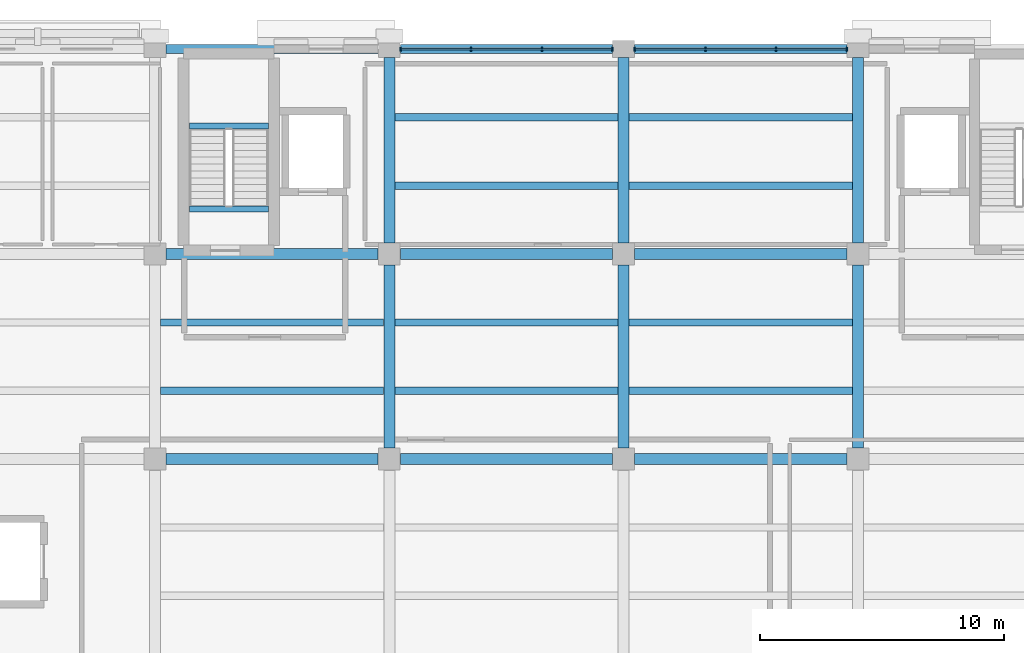
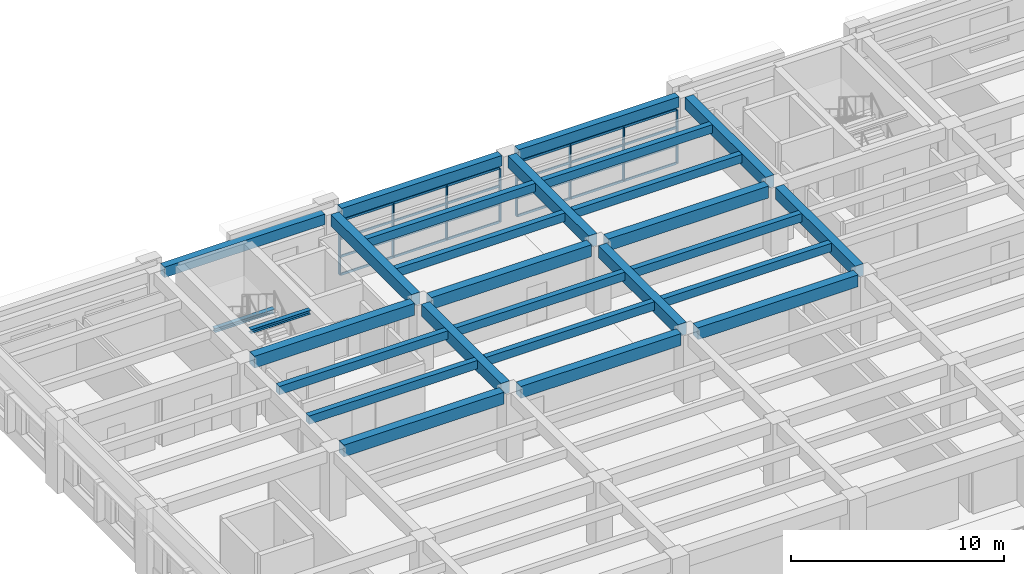
# One storey, part 25 of 62: 27 beams, 16 members, 2 elements without a shape of their own.
"""IFC4 building model written with IfcOpenShell, lengths in metres."""

from ifc_helpers import new_model, si_unit, direction, frame, origin, origin_2d, place, context, subcontext, project, spatial, rectangle, i_section, extrude, material, layer, layer_set, material_profile, profile_set, type_object, element, aggregate, save


model = new_model("IFC4")

# Units and contexts
model_context = context("Model", 3, precision=1e-05, world=origin(), true_north=direction((0.0, 1.0)))
body_context = subcontext(model_context, "Body", "Model", "MODEL_VIEW")
ifc_project = project(units=[si_unit("LENGTHUNIT", "METRE"), si_unit("AREAUNIT", "SQUARE_METRE"), si_unit("VOLUMEUNIT", "CUBIC_METRE"), si_unit("PLANEANGLEUNIT", "RADIAN"), si_unit("MASSUNIT", "GRAM", prefix="KILO")], contexts=[model_context])

# Site, building, storey
site_placement = place(None, origin())
site = spatial("IfcSite", under=ifc_project, at=site_placement, CompositionType="ELEMENT")
building_placement = place(site_placement, origin())
building = spatial("IfcBuilding", under=site, at=building_placement, Name="Bempovik Park Faculty of Sciences", CompositionType="ELEMENT")
storey_placement = place(building_placement, frame((0.0, 0.0, 9.89990234375)))
storey = spatial("IfcBuildingStorey", under=building, at=storey_placement, Name="L02", CompositionType="ELEMENT", Elevation=9.89990234375)

# Beams
ifc_material_1 = material(Name="Concrete C35/45", Category="concrete")
ifc_material_profile_1 = material_profile(ifc_material_1, rectangle(XDim=0.3798828125, YDim=0.60009765625, at=origin_2d()), Name="RC 380x600")
ifc_profile_set_1 = profile_set([ifc_material_profile_1], Name="Concrete C35/45")
beam_type_1 = type_object("IfcBeamType", Name="B-032 RC 380x600", PredefinedType="SPANDREL", material=ifc_profile_set_1)
for number, where, z_axis, x_axis, name in (
    (1, (70.055908203125, 119.39990234375, 3.60009765625), (1.0, 0.0, 0.0), (0.0, 1.0, 0.0), "L02 Beam X (69.6-79.2, y=119.4)"),
    (2, (79.656005859375, 119.39990234375, 3.60009765625), (1.0, 0.0, 0.0), (0.0, 1.0, 0.0), "L02 Beam X (79.2-88.8, y=119.4)"),
    (3, (89.256103515625, 119.39990234375, 3.60009765625), (1.0, 0.0, 0.0), (0.0, 1.0, 0.0), "L02 Beam X (88.8-98.4, y=119.4)"),
):
    element("IfcBeam", number, at=place(storey_placement, frame(where, z_axis=z_axis, x_axis=x_axis)), inside=storey, type_object=beam_type_1, Name=name, PredefinedType="SPANDREL", context=body_context, shape_type="SweptSolid", body=[
        extrude(rectangle(XDim=0.3798828125, YDim=0.60009765625, at=origin_2d()), origin(), (0.0, 0.0, 1.0), 8.68798828125),
    ])
ifc_material_profile_2 = material_profile(ifc_material_1, rectangle(XDim=0.300048828125, YDim=0.47998046875, at=origin_2d()), Name="RC 300x480")
ifc_profile_set_2 = profile_set([ifc_material_profile_2], Name="Concrete C35/45")
beam_type_2 = type_object("IfcBeamType", Name="B-039 RC 300x480", PredefinedType="JOIST", material=ifc_profile_set_2)
for number, where, z_axis, x_axis, name in (
    (4, (69.8310546875, 105.39990234375, 3.66015625), (1.0, 0.0, 0.0), (0.0, 1.0, 0.0), "L02 Secondary Joist (69.6-79.2, y=105.40)"),
    (5, (69.8310546875, 108.199951171875, 3.66015625), (1.0, 0.0, 0.0), (0.0, 1.0, 0.0), "L02 Secondary Joist (69.6-79.2, y=108.20)"),
):
    element("IfcBeam", number, at=place(storey_placement, frame(where, z_axis=z_axis, x_axis=x_axis)), inside=storey, type_object=beam_type_2, Name=name, PredefinedType="JOIST", context=body_context, shape_type="SweptSolid", body=[
        extrude(rectangle(XDim=0.300048828125, YDim=0.47998046875, at=origin_2d()), origin(), (0.0, 0.0, 1.0), 9.137939453125),
    ])
for number, where, z_axis, x_axis, name in (
    (6, (79.430908203125, 105.39990234375, 3.66015625), (1.0, 0.0, 0.0), (0.0, 1.0, 0.0), "L02 Secondary Joist (79.2-88.8, y=105.40)"),
    (7, (79.430908203125, 108.199951171875, 3.66015625), (1.0, 0.0, 0.0), (0.0, 1.0, 0.0), "L02 Secondary Joist (79.2-88.8, y=108.20)"),
    (8, (79.430908203125, 113.800048828125, 3.66015625), (1.0, 0.0, 0.0), (0.0, 1.0, 0.0), "L02 Secondary Joist (79.2-88.8, y=113.80)"),
    (9, (79.430908203125, 116.60009765625, 3.66015625), (1.0, 0.0, 0.0), (0.0, 1.0, 0.0), "L02 Secondary Joist (79.2-88.8, y=116.60)"),
):
    element("IfcBeam", number, at=place(storey_placement, frame(where, z_axis=z_axis, x_axis=x_axis)), inside=storey, type_object=beam_type_2, Name=name, PredefinedType="JOIST", context=body_context, shape_type="SweptSolid", body=[
        extrude(rectangle(XDim=0.300048828125, YDim=0.47998046875, at=origin_2d()), origin(), (0.0, 0.0, 1.0), 9.13818359375),
    ])
for number, where, z_axis, x_axis, name in (
    (10, (89.031005859375, 105.39990234375, 3.66015625), (1.0, 0.0, 0.0), (0.0, 1.0, 0.0), "L02 Secondary Joist (88.8-98.4, y=105.40)"),
    (11, (89.031005859375, 108.199951171875, 3.66015625), (1.0, 0.0, 0.0), (0.0, 1.0, 0.0), "L02 Secondary Joist (88.8-98.4, y=108.20)"),
    (12, (89.031005859375, 113.800048828125, 3.66015625), (1.0, 0.0, 0.0), (0.0, 1.0, 0.0), "L02 Secondary Joist (88.8-98.4, y=113.80)"),
    (13, (89.031005859375, 116.60009765625, 3.66015625), (1.0, 0.0, 0.0), (0.0, 1.0, 0.0), "L02 Secondary Joist (88.8-98.4, y=116.60)"),
):
    element("IfcBeam", number, at=place(storey_placement, frame(where, z_axis=z_axis, x_axis=x_axis)), inside=storey, type_object=beam_type_2, Name=name, PredefinedType="JOIST", context=body_context, shape_type="SweptSolid", body=[
        extrude(rectangle(XDim=0.300048828125, YDim=0.47998046875, at=origin_2d()), origin(), (0.0, 0.0, 1.0), 9.137939453125),
    ])
ifc_material_2 = material(Name="Steel S355", Category="steel")
ifc_material_profile_3 = material_profile(ifc_material_2, i_section(OverallWidth=0.239990234375, OverallDepth=0.22998046875, WebThickness=0.007568359375, FlangeThickness=0.011962890625, at=origin_2d()), Name="HEA 240")
ifc_profile_set_3 = profile_set([ifc_material_profile_3], Name="Steel S355")
beam_type_3 = type_object("IfcBeamType", Name="B-070 HEA 240", PredefinedType="BEAM", material=ifc_profile_set_3)
for number, where, z_axis, x_axis, name in (
    (14, (71.006103515625, 116.24365234375, 1.78515625), (1.0, 0.0, 0.0), (0.0, 1.0, 0.0), "L02 ST-1 Half-Landing Trimmer Beam"),
    (15, (71.006103515625, 112.85009765625, 3.78515625), (1.0, 0.0, 0.0), (0.0, 1.0, 0.0), "L03 ST-1 Floor Landing Trimmer Beam"),
):
    element("IfcBeam", number, at=place(storey_placement, frame(where, z_axis=z_axis, x_axis=x_axis)), inside=storey, type_object=beam_type_3, Name=name, PredefinedType="BEAM", context=body_context, shape_type="SweptSolid", body=[
        extrude(i_section(OverallWidth=0.239990234375, OverallDepth=0.22998046875, WebThickness=0.007568359375, FlangeThickness=0.011962890625, at=origin_2d()), origin(), (0.0, 0.0, 1.0), 3.23779296875),
    ])
ifc_material_profile_4 = material_profile(ifc_material_1, rectangle(XDim=0.449951171875, YDim=0.679931640625, at=origin_2d()), Name="RC 450x680")
ifc_profile_set_4 = profile_set([ifc_material_profile_4], Name="Concrete C35/45")
beam_type_4 = type_object("IfcBeamType", Name="B-113 RC 450x680", PredefinedType="BEAM", material=ifc_profile_set_4)
for number, where, z_axis, x_axis, name in (
    (16, (70.055908203125, 102.60009765625, 3.56005859375), (1.0, 0.0, 0.0), (0.0, 1.0, 0.0), "L02 Beam X (69.6-79.2, y=102.6)"),
    (17, (79.656005859375, 102.60009765625, 3.56005859375), (1.0, 0.0, 0.0), (0.0, 1.0, 0.0), "L02 Beam X (79.2-88.8, y=102.6)"),
    (18, (89.256103515625, 102.60009765625, 3.56005859375), (1.0, 0.0, 0.0), (0.0, 1.0, 0.0), "L02 Beam X (88.8-98.4, y=102.6)"),
    (19, (70.055908203125, 111.0, 3.56005859375), (1.0, 0.0, 0.0), (0.0, 1.0, 0.0), "L02 Beam X (69.6-79.2, y=111.0)"),
    (20, (79.656005859375, 111.0, 3.56005859375), (1.0, 0.0, 0.0), (0.0, 1.0, 0.0), "L02 Beam X (79.2-88.8, y=111.0)"),
    (21, (89.256103515625, 111.0, 3.56005859375), (1.0, 0.0, 0.0), (0.0, 1.0, 0.0), "L02 Beam X (88.8-98.4, y=111.0)"),
):
    element("IfcBeam", number, at=place(storey_placement, frame(where, z_axis=z_axis, x_axis=x_axis)), inside=storey, type_object=beam_type_4, Name=name, PredefinedType="BEAM", context=body_context, shape_type="SweptSolid", body=[
        extrude(rectangle(XDim=0.449951171875, YDim=0.679931640625, at=origin_2d()), origin(), (0.0, 0.0, 1.0), 8.68798828125),
    ])
beam_1_placement = place(storey_placement, frame((79.199951171875, 103.055908203125, 3.56005859375), z_axis=(0.0, 1.0, 0.0), x_axis=(-1.0, 0.0, 0.0)))
element("IfcBeam", 22, at=beam_1_placement, inside=storey, type_object=beam_type_4, Name="L02 Beam Y (x=79.2, 102.6-111.0)", PredefinedType="BEAM", context=body_context, shape_type="SweptSolid", body=[
    extrude(rectangle(XDim=0.449951171875, YDim=0.679931640625, at=origin_2d()), origin(), (0.0, 0.0, 1.0), 7.488037109375),
])
beam_2_placement = place(storey_placement, frame((79.199951171875, 111.4560546875, 3.56005859375), z_axis=(0.0, 1.0, 0.0), x_axis=(-1.0, 0.0, 0.0)))
element("IfcBeam", 23, at=beam_2_placement, inside=storey, type_object=beam_type_4, Name="L02 Beam Y (x=79.2, 111.0-119.4)", PredefinedType="BEAM", context=body_context, shape_type="SweptSolid", body=[
    extrude(rectangle(XDim=0.449951171875, YDim=0.679931640625, at=origin_2d()), origin(), (0.0, 0.0, 1.0), 7.587890625),
])
beam_3_placement = place(storey_placement, frame((88.800048828125, 103.055908203125, 3.56005859375), z_axis=(0.0, 1.0, 0.0), x_axis=(-1.0, 0.0, 0.0)))
element("IfcBeam", 24, at=beam_3_placement, inside=storey, type_object=beam_type_4, Name="L02 Beam Y (x=88.8, 102.6-111.0)", PredefinedType="BEAM", context=body_context, shape_type="SweptSolid", body=[
    extrude(rectangle(XDim=0.449951171875, YDim=0.679931640625, at=origin_2d()), origin(), (0.0, 0.0, 1.0), 7.488037109375),
])
beam_4_placement = place(storey_placement, frame((88.800048828125, 111.4560546875, 3.56005859375), z_axis=(0.0, 1.0, 0.0), x_axis=(-1.0, 0.0, 0.0)))
element("IfcBeam", 25, at=beam_4_placement, inside=storey, type_object=beam_type_4, Name="L02 Beam Y (x=88.8, 111.0-119.4)", PredefinedType="BEAM", context=body_context, shape_type="SweptSolid", body=[
    extrude(rectangle(XDim=0.449951171875, YDim=0.679931640625, at=origin_2d()), origin(), (0.0, 0.0, 1.0), 7.587890625),
])
beam_5_placement = place(storey_placement, frame((98.39990234375, 103.055908203125, 3.56005859375), z_axis=(0.0, 1.0, 0.0), x_axis=(-1.0, 0.0, 0.0)))
element("IfcBeam", 26, at=beam_5_placement, inside=storey, type_object=beam_type_4, Name="L02 Beam Y (x=98.4, 102.6-111.0)", PredefinedType="BEAM", context=body_context, shape_type="SweptSolid", body=[
    extrude(rectangle(XDim=0.449951171875, YDim=0.679931640625, at=origin_2d()), origin(), (0.0, 0.0, 1.0), 7.488037109375),
])
beam_6_placement = place(storey_placement, frame((98.39990234375, 111.4560546875, 3.56005859375), z_axis=(0.0, 1.0, 0.0), x_axis=(-1.0, 0.0, 0.0)))
element("IfcBeam", 27, at=beam_6_placement, inside=storey, type_object=beam_type_4, Name="L02 Beam Y (x=98.4, 111.0-119.4)", PredefinedType="BEAM", context=body_context, shape_type="SweptSolid", body=[
    extrude(rectangle(XDim=0.449951171875, YDim=0.679931640625, at=origin_2d()), origin(), (0.0, 0.0, 1.0), 7.587890625),
])

# Curtain wall, members
ifc_material_3 = material(Name="Tempered laminated low-E glass", Category="glass")
ifc_layer = layer(ifc_material_3, 0.159912109375)
ifc_layer_set = layer_set([ifc_layer], Name="Tempered laminated low-E glass")
curtain_wall_type = type_object("IfcCurtainWallType", Name="CW-24 Curtain 7000x3500", PredefinedType="USERDEFINED", material=ifc_layer_set)
curtain_wall_1_placement = place(storey_placement, origin())
curtain_wall_1 = element("IfcCurtainWall", 28, at=curtain_wall_1_placement, inside=storey, type_object=curtain_wall_type, Name="L02 Unitised Curtain Wall (119.4,79.2)", ObjectType="UNITISED CURTAIN WALL", PredefinedType="USERDEFINED")
ifc_material_4 = material(Name="Anodised architectural bronze", Category="aluminium")
ifc_material_profile_5 = material_profile(ifc_material_4, rectangle(XDim=0.06005859375, YDim=0.159912109375, at=origin_2d()), Name="ALU-M 60x160")
ifc_profile_set_5 = profile_set([ifc_material_profile_5], Name="Anodised architectural bronze")
member_type_1 = type_object("IfcMemberType", Name="ML-21 ALU-M 60x160", PredefinedType="MULLION", material=ifc_profile_set_5)
member_1_placement = place(storey_placement, frame((79.652099609375, 119.39990234375, 0.0), z_axis=(0.0, 0.0, 1.0), x_axis=(1.0, 0.0, 0.0)))
member_1 = element("IfcMember", 29, at=member_1_placement, type_object=member_type_1, Name="CW-BAY-L02-1194-792 Mullion 0", PredefinedType="MULLION", context=body_context, shape_type="SweptSolid", body=[
    extrude(rectangle(XDim=0.06005859375, YDim=0.159912109375, at=origin_2d()), origin(), (0.0, 0.0, 1.0), 3.080078125),
])
member_2_placement = place(storey_placement, frame((82.55078125, 119.39990234375, 0.0), z_axis=(0.0, 0.0, 1.0), x_axis=(1.0, 0.0, 0.0)))
member_2 = element("IfcMember", 30, at=member_2_placement, type_object=member_type_1, Name="CW-BAY-L02-1194-792 Mullion 1", PredefinedType="MULLION", context=body_context, shape_type="SweptSolid", body=[
    extrude(rectangle(XDim=0.06005859375, YDim=0.159912109375, at=origin_2d()), origin(), (0.0, 0.0, 1.0), 3.080078125),
])
member_3_placement = place(storey_placement, frame((85.44921875, 119.39990234375, 0.0), z_axis=(0.0, 0.0, 1.0), x_axis=(1.0, 0.0, 0.0)))
member_3 = element("IfcMember", 31, at=member_3_placement, type_object=member_type_1, Name="CW-BAY-L02-1194-792 Mullion 2", PredefinedType="MULLION", context=body_context, shape_type="SweptSolid", body=[
    extrude(rectangle(XDim=0.06005859375, YDim=0.159912109375, at=origin_2d()), origin(), (0.0, 0.0, 1.0), 3.080078125),
])
member_4_placement = place(storey_placement, frame((88.347900390625, 119.39990234375, 0.0), z_axis=(0.0, 0.0, 1.0), x_axis=(1.0, 0.0, 0.0)))
member_4 = element("IfcMember", 32, at=member_4_placement, type_object=member_type_1, Name="CW-BAY-L02-1194-792 Mullion 3", PredefinedType="MULLION", context=body_context, shape_type="SweptSolid", body=[
    extrude(rectangle(XDim=0.06005859375, YDim=0.159912109375, at=origin_2d()), origin(), (0.0, 0.0, 1.0), 3.080078125),
])

curtain_wall_2_placement = place(storey_placement, origin())
curtain_wall_2 = element("IfcCurtainWall", 33, at=curtain_wall_2_placement, inside=storey, type_object=curtain_wall_type, Name="L02 Unitised Curtain Wall (119.4,88.8)", ObjectType="UNITISED CURTAIN WALL", PredefinedType="USERDEFINED")
member_5_placement = place(storey_placement, frame((89.251953125, 119.39990234375, 0.0), z_axis=(0.0, 0.0, 1.0), x_axis=(1.0, 0.0, 0.0)))
member_5 = element("IfcMember", 34, at=member_5_placement, type_object=member_type_1, Name="CW-BAY-L02-1194-888 Mullion 0", PredefinedType="MULLION", context=body_context, shape_type="SweptSolid", body=[
    extrude(rectangle(XDim=0.06005859375, YDim=0.159912109375, at=origin_2d()), origin(), (0.0, 0.0, 1.0), 3.080078125),
])
member_6_placement = place(storey_placement, frame((92.150634765625, 119.39990234375, 0.0), z_axis=(0.0, 0.0, 1.0), x_axis=(1.0, 0.0, 0.0)))
member_6 = element("IfcMember", 35, at=member_6_placement, type_object=member_type_1, Name="CW-BAY-L02-1194-888 Mullion 1", PredefinedType="MULLION", context=body_context, shape_type="SweptSolid", body=[
    extrude(rectangle(XDim=0.06005859375, YDim=0.159912109375, at=origin_2d()), origin(), (0.0, 0.0, 1.0), 3.080078125),
])
member_7_placement = place(storey_placement, frame((95.04931640625, 119.39990234375, 0.0), z_axis=(0.0, 0.0, 1.0), x_axis=(1.0, 0.0, 0.0)))
member_7 = element("IfcMember", 36, at=member_7_placement, type_object=member_type_1, Name="CW-BAY-L02-1194-888 Mullion 2", PredefinedType="MULLION", context=body_context, shape_type="SweptSolid", body=[
    extrude(rectangle(XDim=0.06005859375, YDim=0.159912109375, at=origin_2d()), origin(), (0.0, 0.0, 1.0), 3.080078125),
])
member_8_placement = place(storey_placement, frame((97.947998046875, 119.39990234375, 0.0), z_axis=(0.0, 0.0, 1.0), x_axis=(1.0, 0.0, 0.0)))
member_8 = element("IfcMember", 37, at=member_8_placement, type_object=member_type_1, Name="CW-BAY-L02-1194-888 Mullion 3", PredefinedType="MULLION", context=body_context, shape_type="SweptSolid", body=[
    extrude(rectangle(XDim=0.06005859375, YDim=0.159912109375, at=origin_2d()), origin(), (0.0, 0.0, 1.0), 3.080078125),
])

# Member
ifc_material_profile_6 = material_profile(ifc_material_4, rectangle(XDim=0.06005859375, YDim=0.1298828125, at=origin_2d()), Name="ALU-T 60x130")
ifc_profile_set_6 = profile_set([ifc_material_profile_6], Name="Anodised architectural bronze")
member_type_2 = type_object("IfcMemberType", Name="TR-25 ALU-T 60x130", PredefinedType="USERDEFINED", material=ifc_profile_set_6)
member_9_placement = place(storey_placement, frame((79.69189453125, 119.39990234375, 0.0), z_axis=(1.0, 0.0, 0.0), x_axis=(0.0, 1.0, 0.0)))
member_9 = element("IfcMember", 38, at=member_9_placement, type_object=member_type_2, Name="CW-BAY-L02-1194-792 Transom 0", ObjectType="TRANSOM", PredefinedType="USERDEFINED", context=body_context, shape_type="SweptSolid", body=[
    extrude(rectangle(XDim=0.06005859375, YDim=0.1298828125, at=origin_2d()), origin(), (0.0, 0.0, 1.0), 8.6162109375),
])

member_10_placement = place(storey_placement, frame((79.69189453125, 119.39990234375, 1.02685546875), z_axis=(1.0, 0.0, 0.0), x_axis=(0.0, 1.0, 0.0)))
member_10 = element("IfcMember", 39, at=member_10_placement, type_object=member_type_2, Name="CW-BAY-L02-1194-792 Transom 1", ObjectType="TRANSOM", PredefinedType="USERDEFINED", context=body_context, shape_type="SweptSolid", body=[
    extrude(rectangle(XDim=0.06005859375, YDim=0.1298828125, at=origin_2d()), origin(), (0.0, 0.0, 1.0), 8.6162109375),
])

member_11_placement = place(storey_placement, frame((79.69189453125, 119.39990234375, 2.053466796875), z_axis=(1.0, 0.0, 0.0), x_axis=(0.0, 1.0, 0.0)))
member_11 = element("IfcMember", 40, at=member_11_placement, type_object=member_type_2, Name="CW-BAY-L02-1194-792 Transom 2", ObjectType="TRANSOM", PredefinedType="USERDEFINED", context=body_context, shape_type="SweptSolid", body=[
    extrude(rectangle(XDim=0.06005859375, YDim=0.1298828125, at=origin_2d()), origin(), (0.0, 0.0, 1.0), 8.6162109375),
])

member_12_placement = place(storey_placement, frame((79.69189453125, 119.39990234375, 3.080078125), z_axis=(1.0, 0.0, 0.0), x_axis=(0.0, 1.0, 0.0)))
member_12 = element("IfcMember", 41, at=member_12_placement, type_object=member_type_2, Name="CW-BAY-L02-1194-792 Transom 3", ObjectType="TRANSOM", PredefinedType="USERDEFINED", context=body_context, shape_type="SweptSolid", body=[
    extrude(rectangle(XDim=0.06005859375, YDim=0.1298828125, at=origin_2d()), origin(), (0.0, 0.0, 1.0), 8.6162109375),
])

aggregate(curtain_wall_1, [member_1, member_2, member_3, member_4, member_9, member_10, member_11, member_12])

member_13_placement = place(storey_placement, frame((89.2919921875, 119.39990234375, 0.0), z_axis=(1.0, 0.0, 0.0), x_axis=(0.0, 1.0, 0.0)))
member_13 = element("IfcMember", 42, at=member_13_placement, type_object=member_type_2, Name="CW-BAY-L02-1194-888 Transom 0", ObjectType="TRANSOM", PredefinedType="USERDEFINED", context=body_context, shape_type="SweptSolid", body=[
    extrude(rectangle(XDim=0.06005859375, YDim=0.1298828125, at=origin_2d()), origin(), (0.0, 0.0, 1.0), 8.615966796875),
])

member_14_placement = place(storey_placement, frame((89.2919921875, 119.39990234375, 1.02685546875), z_axis=(1.0, 0.0, 0.0), x_axis=(0.0, 1.0, 0.0)))
member_14 = element("IfcMember", 43, at=member_14_placement, type_object=member_type_2, Name="CW-BAY-L02-1194-888 Transom 1", ObjectType="TRANSOM", PredefinedType="USERDEFINED", context=body_context, shape_type="SweptSolid", body=[
    extrude(rectangle(XDim=0.06005859375, YDim=0.1298828125, at=origin_2d()), origin(), (0.0, 0.0, 1.0), 8.615966796875),
])

member_15_placement = place(storey_placement, frame((89.2919921875, 119.39990234375, 2.053466796875), z_axis=(1.0, 0.0, 0.0), x_axis=(0.0, 1.0, 0.0)))
member_15 = element("IfcMember", 44, at=member_15_placement, type_object=member_type_2, Name="CW-BAY-L02-1194-888 Transom 2", ObjectType="TRANSOM", PredefinedType="USERDEFINED", context=body_context, shape_type="SweptSolid", body=[
    extrude(rectangle(XDim=0.06005859375, YDim=0.1298828125, at=origin_2d()), origin(), (0.0, 0.0, 1.0), 8.615966796875),
])

member_16_placement = place(storey_placement, frame((89.2919921875, 119.39990234375, 3.080078125), z_axis=(1.0, 0.0, 0.0), x_axis=(0.0, 1.0, 0.0)))
member_16 = element("IfcMember", 45, at=member_16_placement, type_object=member_type_2, Name="CW-BAY-L02-1194-888 Transom 3", ObjectType="TRANSOM", PredefinedType="USERDEFINED", context=body_context, shape_type="SweptSolid", body=[
    extrude(rectangle(XDim=0.06005859375, YDim=0.1298828125, at=origin_2d()), origin(), (0.0, 0.0, 1.0), 8.615966796875),
])

aggregate(curtain_wall_2, [member_5, member_6, member_7, member_8, member_13, member_14, member_15, member_16])

save(model, "model.ifc")
